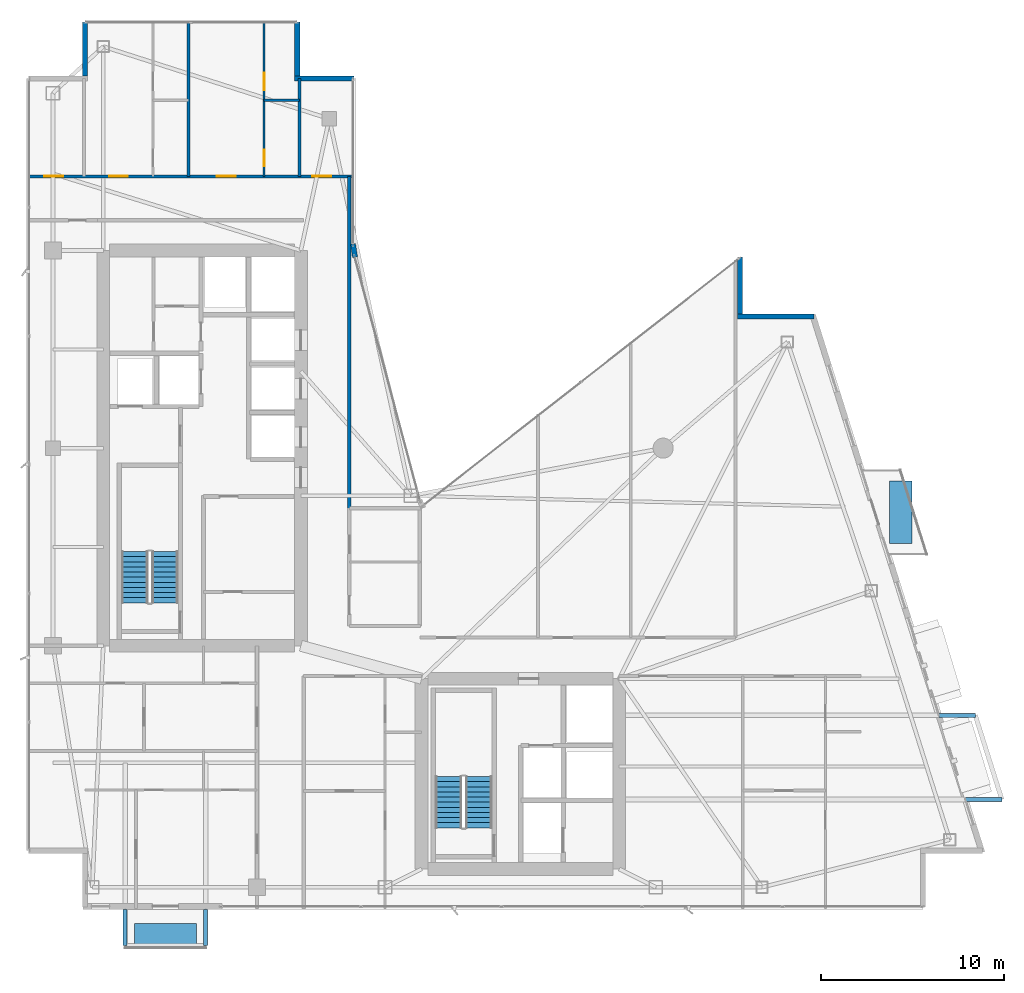
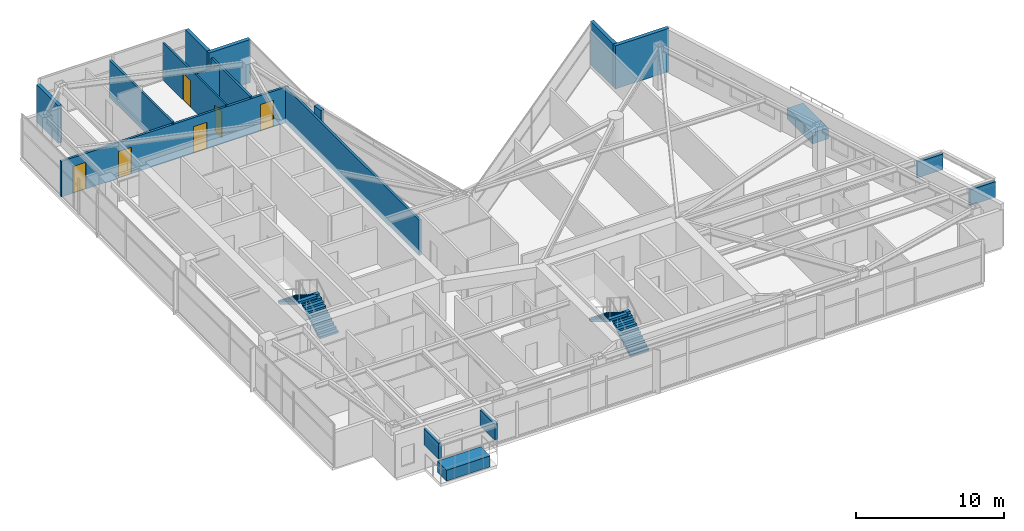
# One storey, part 26 of 29: 12 walls, 6 discrete accessories, 6 doors, 4 stair flights, 6 openings, 2 elements without a shape of their own.
"""IFC4 building model written with IfcOpenShell, lengths in metres."""

from ifc_helpers import new_model, si_unit, direction, frame, frame_2d, origin, origin_2d, place, context, subcontext, project, spatial, polyline, rectangle, outline, extrude, material, layer, layer_set, type_object, element, fill, aggregate, save


model = new_model("IFC4")

# Units and contexts
model_context = context("Model", 3, precision=1e-05, world=origin(), true_north=direction((0.0, 1.0)))
body_context = subcontext(model_context, "Body", "Model", "MODEL_VIEW")
ifc_project = project(units=[si_unit("LENGTHUNIT", "METRE"), si_unit("AREAUNIT", "SQUARE_METRE"), si_unit("VOLUMEUNIT", "CUBIC_METRE"), si_unit("PLANEANGLEUNIT", "RADIAN"), si_unit("MASSUNIT", "GRAM", prefix="KILO")], contexts=[model_context])

# Site, building, storey
site_placement = place(None, origin())
site = spatial("IfcSite", under=ifc_project, at=site_placement, CompositionType="ELEMENT")
building_placement = place(site_placement, origin())
building = spatial("IfcBuilding", under=site, at=building_placement, Name="Calvorn Quay Hotel", CompositionType="ELEMENT")
storey_placement = place(building_placement, frame((0.0, 0.0, 211.0)))
storey = spatial("IfcBuildingStorey", under=building, at=storey_placement, Name="L52", CompositionType="ELEMENT", Elevation=211.0)

# Wall, openings, doors
ifc_material_1 = material(Name="Acoustic Fireboard Steel-Stud Partition", Category="steel")
ifc_layer_1 = layer(ifc_material_1, 0.179931640625)
ifc_layer_set_1 = layer_set([ifc_layer_1], Name="WL-CORR-FIRE-180")
wall_type_1 = type_object("IfcWallType", Name="WL-CORR-FIRE-180", PredefinedType="PARTITIONING", material=ifc_layer_set_1)
wall_1_placement = place(storey_placement, frame((0.080078125, 42.449951171875, 0.0), z_axis=(0.0, 0.0, 1.0), x_axis=(1.0, 0.0, 0.0)))
wall_1 = element("IfcWall", 1, at=wall_1_placement, inside=storey, type_object=wall_type_1, Name="Partition Wall L52-WL-CORR-NW-N", PredefinedType="PARTITIONING", context=body_context, shape_type="SweptSolid", body=[
    extrude(rectangle(XDim=17.77001953125, YDim=0.179931640625, at=frame_2d((8.885009765625, 0.0))), origin(), (0.0, 0.0, 1.0), 2.93994140625),
])
opening_1_placement = place(wall_1_placement, frame((0.89990234375, 0.0, 0.0)))
opening_1 = element("IfcOpeningElement", 2, at=opening_1_placement, cuts=wall_1, Name="Opening D-L52-NWW", PredefinedType="OPENING", context=body_context, shape_type="SweptSolid", body=[
    extrude(rectangle(XDim=1.02001953125, YDim=2.199951171875, at=frame_2d((0.510009765625, 1.10009765625))), frame((0.0, 0.099853515625, 0.0), z_axis=(0.0, -1.0, 0.0), x_axis=(1.0, 0.0, 0.0)), (0.0, 0.0, 1.0), 0.199951171875),
])
opening_2_placement = place(wall_1_placement, frame((4.449951171875, 0.0, 0.0)))
opening_2 = element("IfcOpeningElement", 3, at=opening_2_placement, cuts=wall_1, Name="Opening D-L52-U04", PredefinedType="OPENING", context=body_context, shape_type="SweptSolid", body=[
    extrude(rectangle(XDim=1.02001953125, YDim=2.199951171875, at=frame_2d((0.510009765625, 1.10009765625))), frame((0.0, 0.099853515625, 0.0), z_axis=(0.0, -1.0, 0.0), x_axis=(1.0, 0.0, 0.0)), (0.0, 0.0, 1.0), 0.199951171875),
])
opening_3_placement = place(wall_1_placement, frame((10.330078125, 0.0, 0.0)))
opening_3 = element("IfcOpeningElement", 4, at=opening_3_placement, cuts=wall_1, Name="Opening D-L52-U05", PredefinedType="OPENING", context=body_context, shape_type="SweptSolid", body=[
    extrude(rectangle(XDim=1.02001953125, YDim=2.199951171875, at=frame_2d((0.510009765625, 1.10009765625))), frame((0.0, 0.099853515625, 0.0), z_axis=(0.0, -1.0, 0.0), x_axis=(1.0, 0.0, 0.0)), (0.0, 0.0, 1.0), 0.199951171875),
])
opening_4_placement = place(wall_1_placement, frame((15.550048828125, 0.0, 0.0)))
opening_4 = element("IfcOpeningElement", 5, at=opening_4_placement, cuts=wall_1, Name="Opening D-L52-NWE", PredefinedType="OPENING", context=body_context, shape_type="SweptSolid", body=[
    extrude(rectangle(XDim=1.02001953125, YDim=2.199951171875, at=frame_2d((0.510009765625, 1.10009765625))), frame((0.0, 0.099853515625, 0.0), z_axis=(0.0, -1.0, 0.0), x_axis=(1.0, 0.0, 0.0)), (0.0, 0.0, 1.0), 0.199951171875),
])
ifc_material_2 = material(Name="Solid-Core Walnut Veneer Hotel Fire Door")
door_type_1 = type_object("IfcDoorType", Name="DR-GUEST-ENTRY-1020", OperationType="NOTDEFINED", PredefinedType="DOOR", material=ifc_material_2)
door_1_placement = place(opening_1_placement, origin())
door_1 = element("IfcDoor", 6, at=door_1_placement, inside=storey, type_object=door_type_1, Name="West Corner Study Door (L52)", OperationType="SINGLE_SWING_LEFT", OverallHeight=2.199951171875, OverallWidth=1.02001953125, PredefinedType="DOOR", context=body_context, shape_type="SweptSolid", body=[
    extrude(rectangle(XDim=1.02001953125, YDim=2.199951171875, at=frame_2d((0.510009765625, 1.10009765625))), frame((0.0, 0.02490234375, 0.0), z_axis=(0.0, -1.0, 0.0), x_axis=(1.0, 0.0, 0.0)), (0.0, 0.0, 1.0), 0.050048828125),
])
fill(opening_1, door_1)
door_2_placement = place(opening_2_placement, origin())
door_2 = element("IfcDoor", 7, at=door_2_placement, inside=storey, type_object=door_type_1, Name="North-West Unit Door U04 (L52)", OperationType="SINGLE_SWING_RIGHT", OverallHeight=2.199951171875, OverallWidth=1.02001953125, PredefinedType="DOOR", context=body_context, shape_type="SweptSolid", body=[
    extrude(rectangle(XDim=1.02001953125, YDim=2.199951171875, at=frame_2d((0.510009765625, 1.10009765625))), frame((0.0, 0.02490234375, 0.0), z_axis=(0.0, -1.0, 0.0), x_axis=(1.0, 0.0, 0.0)), (0.0, 0.0, 1.0), 0.050048828125),
])
fill(opening_2, door_2)
door_3_placement = place(opening_3_placement, origin())
door_3 = element("IfcDoor", 8, at=door_3_placement, inside=storey, type_object=door_type_1, Name="North-West Unit Door U05 (L52)", OperationType="SINGLE_SWING_LEFT", OverallHeight=2.199951171875, OverallWidth=1.02001953125, PredefinedType="DOOR", context=body_context, shape_type="SweptSolid", body=[
    extrude(rectangle(XDim=1.02001953125, YDim=2.199951171875, at=frame_2d((0.510009765625, 1.10009765625))), frame((0.0, 0.02490234375, 0.0), z_axis=(0.0, -1.0, 0.0), x_axis=(1.0, 0.0, 0.0)), (0.0, 0.0, 1.0), 0.050048828125),
])
fill(opening_3, door_3)
door_4_placement = place(opening_4_placement, origin())
door_4 = element("IfcDoor", 9, at=door_4_placement, inside=storey, type_object=door_type_1, Name="Inner Court Study Door (L52)", OperationType="SINGLE_SWING_RIGHT", OverallHeight=2.199951171875, OverallWidth=1.02001953125, PredefinedType="DOOR", context=body_context, shape_type="SweptSolid", body=[
    extrude(rectangle(XDim=1.02001953125, YDim=2.199951171875, at=frame_2d((0.510009765625, 1.10009765625))), frame((0.0, 0.02490234375, 0.0), z_axis=(0.0, -1.0, 0.0), x_axis=(1.0, 0.0, 0.0)), (0.0, 0.0, 1.0), 0.050048828125),
])
fill(opening_4, door_4)

# Walls
wall_2_placement = place(storey_placement, frame((17.64990234375, 24.300048828125, 0.0), z_axis=(0.0, 0.0, 1.0), x_axis=(0.0, 1.0, 0.0)))
element("IfcWall", 10, at=wall_2_placement, inside=storey, type_object=wall_type_1, Name="Partition Wall L52-WL-NW-CLOSURE-E", PredefinedType="PARTITIONING", context=body_context, shape_type="SweptSolid", body=[
    extrude(rectangle(XDim=18.14990234375, YDim=0.179931640625, at=frame_2d((9.074951171875, 0.0))), origin(), (0.0, 0.0, 1.0), 2.93994140625),
])
ifc_material_3 = material(Name="Moisture-Resistant Tile-Backed Partition")
ifc_layer_2 = layer(ifc_material_3, 0.125)
ifc_layer_set_2 = layer_set([ifc_layer_2], Name="WL-ENSUITE-125")
wall_type_2 = type_object("IfcWallType", Name="WL-ENSUITE-125", PredefinedType="PARTITIONING", material=ifc_layer_set_2)
wall_3_placement = place(storey_placement, frame((12.989990234375, 46.6201171875, 0.0), z_axis=(0.0, 0.0, 1.0), x_axis=(1.0, 0.0, 0.0)))
element("IfcWall", 11, at=wall_3_placement, inside=storey, type_object=wall_type_2, Name="Partition Wall L52-WL-U05-BDV", PredefinedType="PARTITIONING", context=body_context, shape_type="SweptSolid", body=[
    extrude(rectangle(XDim=1.929931640625, YDim=0.125, at=frame_2d((0.96484375, 0.0))), origin(), (0.0, 0.0, 1.0), 3.090087890625),
])

# Wall, openings, doors
wall_4_placement = place(storey_placement, frame((12.989990234375, 42.449951171875, 0.0), z_axis=(0.0, 0.0, 1.0), x_axis=(0.0, 1.0, 0.0)))
wall_4 = element("IfcWall", 12, at=wall_4_placement, inside=storey, type_object=wall_type_2, Name="Partition Wall L52-WL-U05-BV", PredefinedType="PARTITIONING", context=body_context, shape_type="SweptSolid", body=[
    extrude(rectangle(XDim=8.489990234375, YDim=0.125, at=frame_2d((4.2451171875, 0.0))), origin(), (0.0, 0.0, 1.0), 3.090087890625),
])
opening_5_placement = place(wall_4_placement, frame((0.550048828125, 0.0, 0.0)))
opening_5 = element("IfcOpeningElement", 13, at=opening_5_placement, cuts=wall_4, Name="Opening D-L52-E05", PredefinedType="OPENING", context=body_context, shape_type="SweptSolid", body=[
    extrude(rectangle(XDim=0.89990234375, YDim=2.14990234375, at=frame_2d((0.449951171875, 1.074951171875))), frame((0.0, 0.072509765625, 0.0), z_axis=(0.0, -1.0, 0.0), x_axis=(1.0, 0.0, 0.0)), (0.0, 0.0, 1.0), 0.14501953125),
])
opening_6_placement = place(wall_4_placement, frame((4.719970703125, 0.0, 0.0)))
opening_6 = element("IfcOpeningElement", 14, at=opening_6_placement, cuts=wall_4, Name="Opening D-L52-S05", PredefinedType="OPENING", context=body_context, shape_type="SweptSolid", body=[
    extrude(rectangle(XDim=0.9599609375, YDim=2.199951171875, at=frame_2d((0.47998046875, 1.10009765625))), frame((0.0, 0.072509765625, 0.0), z_axis=(0.0, -1.0, 0.0), x_axis=(1.0, 0.0, 0.0)), (0.0, 0.0, 1.0), 0.14501953125),
])
ifc_material_4 = material(Name="Moisture-Sealed Timber En-Suite Door", Category="wood")
door_type_2 = type_object("IfcDoorType", Name="DR-ENSUITE-900", OperationType="NOTDEFINED", PredefinedType="DOOR", material=ifc_material_4)
door_5_placement = place(opening_5_placement, origin())
door_5 = element("IfcDoor", 15, at=door_5_placement, inside=storey, type_object=door_type_2, Name="En-Suite Door 05", OperationType="SINGLE_SWING_LEFT", OverallHeight=2.14990234375, OverallWidth=0.89990234375, PredefinedType="DOOR", context=body_context, shape_type="SweptSolid", body=[
    extrude(rectangle(XDim=0.89990234375, YDim=2.14990234375, at=frame_2d((0.449951171875, 1.074951171875))), frame((0.0, 0.02490234375, 0.0), z_axis=(0.0, -1.0, 0.0), x_axis=(1.0, 0.0, 0.0)), (0.0, 0.0, 1.0), 0.050048828125),
])
fill(opening_5, door_5)
ifc_material_5 = material(Name="Solid Timber Internal Suite Door", Category="wood")
door_type_3 = type_object("IfcDoorType", Name="DR-SUITE-INT-960", OperationType="NOTDEFINED", PredefinedType="DOOR", material=ifc_material_5)
door_6_placement = place(opening_6_placement, origin())
door_6 = element("IfcDoor", 16, at=door_6_placement, inside=storey, type_object=door_type_3, Name="Harbour Tea Room Door 05", OperationType="SINGLE_SWING_RIGHT", OverallHeight=2.199951171875, OverallWidth=0.9599609375, PredefinedType="DOOR", context=body_context, shape_type="SweptSolid", body=[
    extrude(rectangle(XDim=0.9599609375, YDim=2.199951171875, at=frame_2d((0.47998046875, 1.10009765625))), frame((0.0, 0.02490234375, 0.0), z_axis=(0.0, -1.0, 0.0), x_axis=(1.0, 0.0, 0.0)), (0.0, 0.0, 1.0), 0.050048828125),
])
fill(opening_6, door_6)

# Walls
ifc_material_6 = material(Name="Concrete C40", Category="concrete")
ifc_layer_3 = layer(ifc_material_6, 0.320068359375)
ifc_layer_set_3 = layer_set([ifc_layer_3], Name="WL-EXT-SPANDREL-320")
wall_type_3 = type_object("IfcWallType", Name="WL-EXT-SPANDREL-320", PredefinedType="SOLIDWALL", material=ifc_layer_set_3)
wall_5_placement = place(storey_placement, frame((17.9619140625, 38.030029296875, 0.0), z_axis=(0.0, 0.0, 1.0), x_axis=(-0.15141125477, 0.988470855377, 0.0)))
element("IfcWall", 17, at=wall_5_placement, inside=storey, type_object=wall_type_3, Name="Inner Court Corner Pier L52-ICJ2", PredefinedType="SOLIDWALL", context=body_context, shape_type="SweptSolid", body=[
    extrude(rectangle(XDim=0.738525390625, YDim=0.280029296875, at=frame_2d((0.369140625, 0.0))), origin(), (0.0, 0.0, 1.0), 3.56005859375),
])
wall_6_placement = place(storey_placement, frame((43.0400390625, 34.800048828125, 0.0), z_axis=(0.0, 0.0, 1.0), x_axis=(-1.0, 0.0, 0.0)))
element("IfcWall", 18, at=wall_6_placement, inside=storey, type_object=wall_type_3, Name="Notched Corner Spandrel L52-NE1", PredefinedType="SOLIDWALL", context=body_context, shape_type="SweptSolid", body=[
    extrude(rectangle(XDim=4.179931640625, YDim=0.280029296875, at=frame_2d((2.08984375, 0.0))), origin(), (0.0, 0.0, 1.0), 3.56005859375),
])
wall_7_placement = place(storey_placement, frame((39.0, 34.93994140625, 0.0), z_axis=(0.0, 0.0, 1.0), x_axis=(0.0, 1.0, 0.0)))
element("IfcWall", 19, at=wall_7_placement, inside=storey, type_object=wall_type_3, Name="Notched Corner Spandrel L52-NE2", PredefinedType="SOLIDWALL", context=body_context, shape_type="SweptSolid", body=[
    extrude(rectangle(XDim=3.10009765625, YDim=0.280029296875, at=frame_2d((1.550048828125, 0.0))), origin(), (0.0, 0.0, 1.0), 3.56005859375),
])
wall_8_placement = place(storey_placement, frame((17.89990234375, 47.800048828125, 0.0), z_axis=(0.0, 0.0, 1.0), x_axis=(-1.0, 0.0, 0.0)))
element("IfcWall", 20, at=wall_8_placement, inside=storey, type_object=wall_type_3, Name="Notched Corner Spandrel L52-NWE1", PredefinedType="SOLIDWALL", context=body_context, shape_type="SweptSolid", body=[
    extrude(rectangle(XDim=3.239990234375, YDim=0.280029296875, at=frame_2d((1.6201171875, 0.0))), origin(), (0.0, 0.0, 1.0), 3.56005859375),
])
wall_9_placement = place(storey_placement, frame((14.800048828125, 47.93994140625, 0.0), z_axis=(0.0, 0.0, 1.0), x_axis=(0.0, 1.0, 0.0)))
element("IfcWall", 21, at=wall_9_placement, inside=storey, type_object=wall_type_3, Name="Notched Corner Spandrel L52-NWE2", PredefinedType="SOLIDWALL", context=body_context, shape_type="SweptSolid", body=[
    extrude(rectangle(XDim=2.93994140625, YDim=0.280029296875, at=frame_2d((1.469970703125, 0.0))), origin(), (0.0, 0.0, 1.0), 3.56005859375),
])
wall_10_placement = place(storey_placement, frame((3.199951171875, 50.8798828125, 0.0), z_axis=(0.0, 0.0, 1.0), x_axis=(0.0, -1.0, 0.0)))
element("IfcWall", 22, at=wall_10_placement, inside=storey, type_object=wall_type_3, Name="Notched Corner Spandrel L52-NW1", PredefinedType="SOLIDWALL", context=body_context, shape_type="SweptSolid", body=[
    extrude(rectangle(XDim=2.93994140625, YDim=0.280029296875, at=frame_2d((1.469970703125, 0.0))), origin(), (0.0, 0.0, 1.0), 3.090087890625),
])
ifc_material_7 = material(Name="Double-Stud Acoustic Gypsum Partition")
ifc_layer_4 = layer(ifc_material_7, 0.159912109375)
ifc_layer_set_4 = layer_set([ifc_layer_4], Name="WL-INTERSUITE-160")
wall_type_4 = type_object("IfcWallType", Name="WL-INTERSUITE-160", PredefinedType="PARTITIONING", material=ifc_layer_set_4)
wall_11_placement = place(storey_placement, frame((14.919921875, 42.449951171875, 0.0), z_axis=(0.0, 0.0, 1.0), x_axis=(0.0, 1.0, 0.0)))
element("IfcWall", 23, at=wall_11_placement, inside=storey, type_object=wall_type_4, Name="Partition Wall L52-WL-NW-DIV-E0", PredefinedType="PARTITIONING", context=body_context, shape_type="SweptSolid", body=[
    extrude(rectangle(XDim=5.35009765625, YDim=0.159912109375, at=frame_2d((2.675048828125, 0.0))), origin(), (0.0, 0.0, 1.0), 3.090087890625),
])
wall_12_placement = place(storey_placement, frame((8.85009765625, 42.449951171875, 0.0), z_axis=(0.0, 0.0, 1.0), x_axis=(0.0, 1.0, 0.0)))
element("IfcWall", 24, at=wall_12_placement, inside=storey, type_object=wall_type_4, Name="Partition Wall L52-WL-NW-DIV-1", PredefinedType="PARTITIONING", context=body_context, shape_type="SweptSolid", body=[
    extrude(rectangle(XDim=8.489990234375, YDim=0.159912109375, at=frame_2d((4.2451171875, 0.0))), origin(), (0.0, 0.0, 1.0), 3.090087890625),
])

# Stair, stair flights
ifc_material_8 = material(Name="Concrete C40", Category="concrete")
stair_type = type_object("IfcStairType", Name="STR-CORE-DOGLEG", PredefinedType="HALF_TURN_STAIR", material=ifc_material_8)
stair_1_placement = place(storey_placement, origin())
stair_1 = element("IfcStair", 25, at=stair_1_placement, inside=storey, type_object=stair_type, Name="L52 ST-W", PredefinedType="HALF_TURN_STAIR")
ifc_material_9 = material(Name="Concrete C40", Category="concrete")
stair_flight_type = type_object("IfcStairFlightType", Name="FLT-CORE-1550", PredefinedType="STRAIGHT", material=ifc_material_9)
stair_flight_1_placement = place(storey_placement, frame((7.574951171875, 19.14990234375, 0.0), z_axis=(0.0, 0.0, 1.0), x_axis=(0.0, 1.0, 0.0)))
stair_flight_1 = element("IfcStairFlight", 26, at=stair_flight_1_placement, type_object=stair_flight_type, Name="ST-W flight 1", NumberOfRisers=11, NumberOfTreads=10, PredefinedType="STRAIGHT", RiserHeight=0.172727273, TreadLength=0.28, context=body_context, shape_type="SweptSolid", body=[
    extrude(outline(polyline([(0.0, 0.0), (0.0, 0.172607421875), (0.280029296875, 0.172607421875), (0.280029296875, 0.345458984375), (0.56005859375, 0.345458984375), (0.56005859375, 0.51806640625), (0.840087890625, 0.51806640625), (0.840087890625, 0.69091796875), (1.1201171875, 0.69091796875), (1.1201171875, 0.863525390625), (1.39990234375, 0.863525390625), (1.39990234375, 1.036376953125), (1.679931640625, 1.036376953125), (1.679931640625, 1.208984375), (1.9599609375, 1.208984375), (1.9599609375, 1.3818359375), (2.239990234375, 1.3818359375), (2.239990234375, 1.554443359375), (2.52001953125, 1.554443359375), (2.52001953125, 1.727294921875), (2.800048828125, 1.727294921875), (2.800048828125, 1.89990234375), (2.800048828125, 1.551025390625), (0.285400390625, 0.0), (0.0, 0.0)])), frame((0.0, 0.72509765625, 0.0), z_axis=(0.0, -1.0, 0.0), x_axis=(1.0, 0.0, 0.0)), (0.0, 0.0, 1.0), 1.449951171875),
])
stair_flight_2_placement = place(storey_placement, frame((5.925048828125, 21.949951171875, 1.89990234375), z_axis=(0.0, 0.0, 1.0), x_axis=(0.0, -1.0, 0.0)))
stair_flight_2 = element("IfcStairFlight", 27, at=stair_flight_2_placement, type_object=stair_flight_type, Name="ST-W flight 2", NumberOfRisers=11, NumberOfTreads=10, PredefinedType="STRAIGHT", RiserHeight=0.172727273, TreadLength=0.28, context=body_context, shape_type="SweptSolid", body=[
    extrude(outline(polyline([(0.0, 0.0), (0.0, 0.172607421875), (0.280029296875, 0.172607421875), (0.280029296875, 0.345458984375), (0.56005859375, 0.345458984375), (0.56005859375, 0.51806640625), (0.840087890625, 0.51806640625), (0.840087890625, 0.69091796875), (1.1201171875, 0.69091796875), (1.1201171875, 0.863525390625), (1.39990234375, 0.863525390625), (1.39990234375, 1.036376953125), (1.679931640625, 1.036376953125), (1.679931640625, 1.208984375), (1.9599609375, 1.208984375), (1.9599609375, 1.3818359375), (2.239990234375, 1.3818359375), (2.239990234375, 1.554443359375), (2.52001953125, 1.554443359375), (2.52001953125, 1.727294921875), (2.800048828125, 1.727294921875), (2.800048828125, 1.89990234375), (2.800048828125, 1.551025390625), (0.285400390625, 0.0), (0.0, 0.0)])), frame((0.0, 0.72509765625, 0.0), z_axis=(0.0, -1.0, 0.0), x_axis=(1.0, 0.0, 0.0)), (0.0, 0.0, 1.0), 1.449951171875),
])
aggregate(stair_1, [stair_flight_1, stair_flight_2])

stair_2_placement = place(storey_placement, origin())
stair_2 = element("IfcStair", 28, at=stair_2_placement, inside=storey, type_object=stair_type, Name="L52 ST-E", PredefinedType="HALF_TURN_STAIR")
stair_flight_3_placement = place(storey_placement, frame((24.72509765625, 6.85009765625, 0.0), z_axis=(0.0, 0.0, 1.0), x_axis=(0.0, 1.0, 0.0)))
stair_flight_3 = element("IfcStairFlight", 29, at=stair_flight_3_placement, type_object=stair_flight_type, Name="ST-E flight 1", NumberOfRisers=11, NumberOfTreads=10, PredefinedType="STRAIGHT", RiserHeight=0.172727273, TreadLength=0.28, context=body_context, shape_type="SweptSolid", body=[
    extrude(outline(polyline([(0.0, 0.0), (0.0, 0.172607421875), (0.280029296875, 0.172607421875), (0.280029296875, 0.345458984375), (0.56005859375, 0.345458984375), (0.56005859375, 0.51806640625), (0.840087890625, 0.51806640625), (0.840087890625, 0.69091796875), (1.1201171875, 0.69091796875), (1.1201171875, 0.863525390625), (1.39990234375, 0.863525390625), (1.39990234375, 1.036376953125), (1.679931640625, 1.036376953125), (1.679931640625, 1.208984375), (1.9599609375, 1.208984375), (1.9599609375, 1.3818359375), (2.239990234375, 1.3818359375), (2.239990234375, 1.554443359375), (2.52001953125, 1.554443359375), (2.52001953125, 1.727294921875), (2.800048828125, 1.727294921875), (2.800048828125, 1.89990234375), (2.800048828125, 1.551025390625), (0.285400390625, 0.0), (0.0, 0.0)])), frame((0.0, 0.72509765625, 0.0), z_axis=(0.0, -1.0, 0.0), x_axis=(1.0, 0.0, 0.0)), (0.0, 0.0, 1.0), 1.449951171875),
])
stair_flight_4_placement = place(storey_placement, frame((23.074951171875, 9.64990234375, 1.89990234375), z_axis=(0.0, 0.0, 1.0), x_axis=(0.0, -1.0, 0.0)))
stair_flight_4 = element("IfcStairFlight", 30, at=stair_flight_4_placement, type_object=stair_flight_type, Name="ST-E flight 2", NumberOfRisers=11, NumberOfTreads=10, PredefinedType="STRAIGHT", RiserHeight=0.172727273, TreadLength=0.28, context=body_context, shape_type="SweptSolid", body=[
    extrude(outline(polyline([(0.0, 0.0), (0.0, 0.172607421875), (0.280029296875, 0.172607421875), (0.280029296875, 0.345458984375), (0.56005859375, 0.345458984375), (0.56005859375, 0.51806640625), (0.840087890625, 0.51806640625), (0.840087890625, 0.69091796875), (1.1201171875, 0.69091796875), (1.1201171875, 0.863525390625), (1.39990234375, 0.863525390625), (1.39990234375, 1.036376953125), (1.679931640625, 1.036376953125), (1.679931640625, 1.208984375), (1.9599609375, 1.208984375), (1.9599609375, 1.3818359375), (2.239990234375, 1.3818359375), (2.239990234375, 1.554443359375), (2.52001953125, 1.554443359375), (2.52001953125, 1.727294921875), (2.800048828125, 1.727294921875), (2.800048828125, 1.89990234375), (2.800048828125, 1.551025390625), (0.285400390625, 0.0), (0.0, 0.0)])), frame((0.0, 0.72509765625, 0.0), z_axis=(0.0, -1.0, 0.0), x_axis=(1.0, 0.0, 0.0)), (0.0, 0.0, 1.0), 1.449951171875),
])
aggregate(stair_2, [stair_flight_3, stair_flight_4])

# Discrete accessories
ifc_material_10 = material(Name="Steel Q355B", Category="steel")
discrete_accessory_type_1 = type_object("IfcDiscreteAccessoryType", Name="ACC-BALC-STRUT", PredefinedType="BRACKET", material=ifc_material_10)
for number, where, z_axis, x_axis, name in (
    (31, (52.31298828125, 8.39990234375, 2.01513671875), (0.0, 0.0, 1.0), (1.0, 0.0, 0.0), "Exterior Balcony Steel Bracket L53-BALC-E-A"),
    (32, (50.863037109375, 13.0, 2.01513671875), (0.0, 0.0, 1.0), (1.0, 0.0, 0.0), "Exterior Balcony Steel Bracket L53-BALC-E-B"),
):
    element("IfcDiscreteAccessory", number, at=place(storey_placement, frame(where, z_axis=z_axis, x_axis=x_axis)), inside=storey, type_object=discrete_accessory_type_1, Name=name, PredefinedType="BRACKET", context=body_context, shape_type="SweptSolid", body=[
        extrude(rectangle(XDim=1.989990234375, YDim=0.219970703125, at=origin_2d()), origin(), (0.0, 0.0, 1.0), 1.300048828125),
    ])
for number, where, z_axis, x_axis, name in (
    (33, (5.39990234375, 1.405029296875, 2.01513671875), (0.0, 0.0, 1.0), (1.0, 0.0, 0.0), "Exterior Balcony Steel Bracket L53-BALC-S-A"),
    (34, (9.800048828125, 1.405029296875, 2.01513671875), (0.0, 0.0, 1.0), (1.0, 0.0, 0.0), "Exterior Balcony Steel Bracket L53-BALC-S-B"),
):
    element("IfcDiscreteAccessory", number, at=place(storey_placement, frame(where, z_axis=z_axis, x_axis=x_axis)), inside=storey, type_object=discrete_accessory_type_1, Name=name, PredefinedType="BRACKET", context=body_context, shape_type="SweptSolid", body=[
        extrude(rectangle(XDim=0.219970703125, YDim=1.989990234375, at=origin_2d()), origin(), (0.0, 0.0, 1.0), 1.300048828125),
    ])
ifc_material_11 = material(Name="Precast concrete C40", Category="concrete")
discrete_accessory_type_2 = type_object("IfcDiscreteAccessoryType", Name="ACC-TREE-PLANTER", PredefinedType="USERDEFINED", material=ifc_material_11)
discrete_accessory_1_placement = place(storey_placement, frame((47.781982421875, 24.10009765625, 0.0), z_axis=(0.0, 0.0, 1.0), x_axis=(1.0, 0.0, 0.0)))
element("IfcDiscreteAccessory", 35, at=discrete_accessory_1_placement, inside=storey, type_object=discrete_accessory_type_2, Name="Subtropical Tree Structural Planter L52-BALC-E", ObjectType="PLANTER", PredefinedType="USERDEFINED", context=body_context, shape_type="SweptSolid", body=[
    extrude(rectangle(XDim=1.25, YDim=3.39990234375, at=origin_2d()), origin(), (0.0, 0.0, 1.0), 0.89990234375),
])
discrete_accessory_2_placement = place(storey_placement, frame((7.60009765625, 0.989990234375, 0.0), z_axis=(0.0, 0.0, 1.0), x_axis=(1.0, 0.0, 0.0)))
element("IfcDiscreteAccessory", 36, at=discrete_accessory_2_placement, inside=storey, type_object=discrete_accessory_type_2, Name="Subtropical Tree Structural Planter L52-BALC-S", ObjectType="PLANTER", PredefinedType="USERDEFINED", context=body_context, shape_type="SweptSolid", body=[
    extrude(rectangle(XDim=3.39990234375, YDim=1.25, at=origin_2d()), origin(), (0.0, 0.0, 1.0), 0.89990234375),
])

save(model, "model.ifc")
